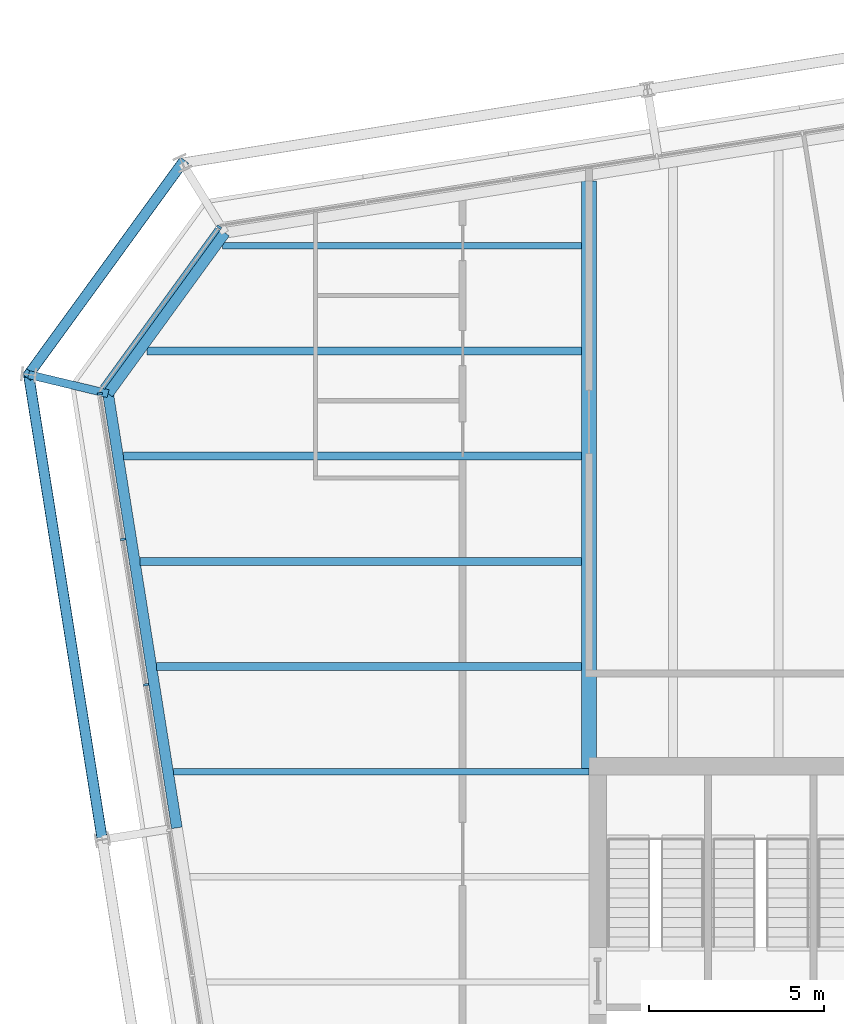
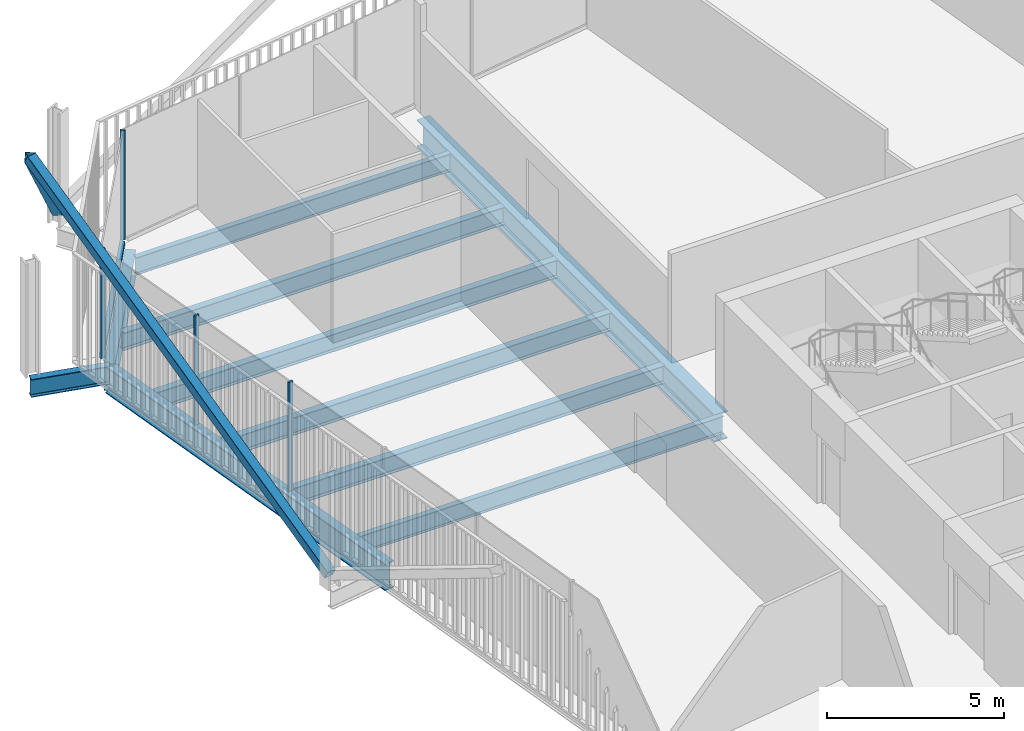
# One storey, part 11 of 21: 10 beams, 7 members, 2 elements without a shape of their own.
"""IFC4 building model written with IfcOpenShell, lengths in metres."""

from ifc_helpers import new_model, si_unit, direction, frame, origin, origin_2d, place, context, subcontext, project, spatial, rectangle, hollow_rectangle, i_section, extrude, material, layer, layer_set, material_profile, profile_set, type_object, element, aggregate, save


model = new_model("IFC4")

# Units and contexts
model_context = context("Model", 3, precision=1e-05, world=origin(), true_north=direction((0.0, 1.0)))
body_context = subcontext(model_context, "Body", "Model", "MODEL_VIEW")
ifc_project = project(units=[si_unit("LENGTHUNIT", "METRE"), si_unit("AREAUNIT", "SQUARE_METRE"), si_unit("VOLUMEUNIT", "CUBIC_METRE"), si_unit("PLANEANGLEUNIT", "RADIAN"), si_unit("MASSUNIT", "GRAM", prefix="KILO")], contexts=[model_context])

# Site, building, storey
site_placement = place(None, origin())
site = spatial("IfcSite", under=ifc_project, at=site_placement, CompositionType="ELEMENT")
building_placement = place(site_placement, origin())
building = spatial("IfcBuilding", under=site, at=building_placement, Name="Millrace Tower", CompositionType="ELEMENT")
storey_placement = place(building_placement, frame((0.0, 0.0, 255.199951171875)))
storey = spatial("IfcBuildingStorey", under=building, at=storey_placement, Name="L58", CompositionType="ELEMENT", Elevation=255.199951171875)

# Curtain wall, member
ifc_material_1 = material(Name="Aluminium and glass", Category="aluminium")
ifc_layer = layer(ifc_material_1, 0.14990234375)
ifc_layer_set = layer_set([ifc_layer], Name="Aluminium and glass")
curtain_wall_type = type_object("IfcCurtainWallType", Name="CW-1 office vision curtain wall", PredefinedType="NOTDEFINED", material=ifc_layer_set)
placement = place(storey_placement, origin())
curtain_wall_1 = element("IfcCurtainWall", 1, at=placement, inside=storey, type_object=curtain_wall_type, Name="Curtain wall D-F07 L58", PredefinedType="NOTDEFINED")
ifc_material_2 = material(Name="Aluminium", Category="aluminium")
ifc_material_profile_1 = material_profile(ifc_material_2, rectangle(XDim=0.06494140625, YDim=0.14990234375, at=origin_2d()))
ifc_profile_set_1 = profile_set([ifc_material_profile_1], Name="Aluminium")
member_type_1 = type_object("IfcMemberType", Name="CW-1 office vision curtain wall mullion", PredefinedType="MULLION", material=ifc_profile_set_1)
member_1_placement = place(storey_placement, frame((-24.945068359375, 24.528076171875, 0.14013671875), z_axis=(0.0, 0.0, 1.0), x_axis=(-0.587785305991, -0.809016955361, 0.0)))
member_1 = element("IfcMember", 2, at=member_1_placement, type_object=member_type_1, Name="CW1 mullion D-F07.1", PredefinedType="MULLION", context=body_context, shape_type="SweptSolid", body=[
    extrude(rectangle(XDim=0.06494140625, YDim=0.14990234375, at=origin_2d()), origin(), (0.0, 0.0, 1.0), 3.760009765625),
])

# Curtain wall, members
curtain_wall_2 = element("IfcCurtainWall", 3, at=placement, inside=storey, type_object=curtain_wall_type, Name="Curtain wall D-F08 L58", PredefinedType="NOTDEFINED")
member_2_placement = place(storey_placement, frame((-28.342529296875, 19.775390625, 0.14013671875), z_axis=(0.0, 0.0, 1.0), x_axis=(0.156434471884, -0.987688339511, 0.0)))
member_2 = element("IfcMember", 4, at=member_2_placement, type_object=member_type_1, Name="CW1 mullion D-F08.1", PredefinedType="MULLION", context=body_context, shape_type="SweptSolid", body=[
    extrude(rectangle(XDim=0.06494140625, YDim=0.14990234375, at=origin_2d()), origin(), (0.0, 0.0, 1.0), 3.760009765625),
])
member_3_placement = place(storey_placement, frame((-27.685302734375, 15.627197265625, 0.14013671875), z_axis=(0.0, 0.0, 1.0), x_axis=(0.156434471884, -0.987688339511, 0.0)))
member_3 = element("IfcMember", 5, at=member_3_placement, type_object=member_type_1, Name="CW1 mullion D-F08.2", PredefinedType="MULLION", context=body_context, shape_type="SweptSolid", body=[
    extrude(rectangle(XDim=0.06494140625, YDim=0.14990234375, at=origin_2d()), origin(), (0.0, 0.0, 1.0), 3.760009765625),
])
member_4_placement = place(storey_placement, frame((-27.0283203125, 11.47900390625, 0.14013671875), z_axis=(0.0, 0.0, 1.0), x_axis=(0.156434471884, -0.987688339511, 0.0)))
member_4 = element("IfcMember", 6, at=member_4_placement, type_object=member_type_1, Name="CW1 mullion D-F08.3", PredefinedType="MULLION", context=body_context, shape_type="SweptSolid", body=[
    extrude(rectangle(XDim=0.06494140625, YDim=0.14990234375, at=origin_2d()), origin(), (0.0, 0.0, 1.0), 3.760009765625),
])
aggregate(curtain_wall_2, [member_2, member_3, member_4])

# Member
ifc_material_3 = material(Name="Aluminium", Category="aluminium")
ifc_material_profile_2 = material_profile(ifc_material_3, rectangle(XDim=0.14990234375, YDim=0.139892578125, at=origin_2d()))
ifc_profile_set_2 = profile_set([ifc_material_profile_2], Name="Aluminium")
member_type_2 = type_object("IfcMemberType", Name="CW-1 office vision curtain wall transom", PredefinedType="USERDEFINED", material=ifc_profile_set_2)
member_5_placement = place(storey_placement, frame((-24.98486328125, 24.473388671875, 0.070068359375), z_axis=(-0.587782670904, -0.809018869857, 0.0), x_axis=(0.809018869857, -0.587782670904, 0.0)))
member_5 = element("IfcMember", 7, at=member_5_placement, type_object=member_type_2, Name="CW1 transom D-F07.1", ObjectType="TRANSOM", PredefinedType="USERDEFINED", context=body_context, shape_type="SweptSolid", body=[
    extrude(rectangle(XDim=0.14990234375, YDim=0.139892578125, at=origin_2d()), origin(), (0.0, 0.0, 1.0), 5.59814453125),
])

aggregate(curtain_wall_1, [member_1, member_5])

# Members
ifc_material_4 = material(Name="Steel ASTM A500 Grade C", Category="steel")
ifc_material_profile_3 = material_profile(ifc_material_4, hollow_rectangle(XDim=0.3046875, YDim=0.3046875, WallThickness=0.009521484375, InnerFilletRadius=0.004638671875, OuterFilletRadius=0.014404296875, at=origin_2d()))
ifc_profile_set_3 = profile_set([ifc_material_profile_3], Name="Steel ASTM A500 Grade C")
member_type_3 = type_object("IfcMemberType", Name="Exoskeleton brace HSS12x12x3/8", PredefinedType="BRACE", material=ifc_profile_set_3)
member_6_placement = place(storey_placement, frame((-25.996337890625, 26.35595703125, 0.400146484375), z_axis=(-0.42850795905, -0.589774395252, 0.684504997598), x_axis=(0.809009310944, -0.587795827483, 0.0)))
element("IfcMember", 8, at=member_6_placement, inside=storey, type_object=member_type_3, Name="BRC-D-L58-13", PredefinedType="BRACE", context=body_context, shape_type="SweptSolid", body=[
    extrude(hollow_rectangle(XDim=0.3046875, YDim=0.3046875, WallThickness=0.009521484375, InnerFilletRadius=0.004638671875, OuterFilletRadius=0.014404296875, at=origin_2d()), origin(), (0.0, 0.0, 1.0), 10.226318359375),
])
member_7_placement = place(storey_placement, frame((-28.27783203125, 7.0615234375, 0.400146484375), z_axis=(-0.138712380788, 0.87583551821, 0.462245627841), x_axis=(-0.987689444837, -0.156427492975, 0.0)))
element("IfcMember", 9, at=member_7_placement, inside=storey, type_object=member_type_3, Name="BRC-D-L58-14", PredefinedType="BRACE", context=body_context, shape_type="SweptSolid", body=[
    extrude(hollow_rectangle(XDim=0.3046875, YDim=0.3046875, WallThickness=0.009521484375, InnerFilletRadius=0.004638671875, OuterFilletRadius=0.014404296875, at=origin_2d()), origin(), (0.0, 0.0, 1.0), 15.1435546875),
])

# Beams
ifc_material_5 = material(Name="Steel ASTM A992 Grade 50", Category="steel")
ifc_material_profile_4 = material_profile(ifc_material_5, i_section(OverallWidth=0.1787109375, OverallDepth=0.60205078125, WebThickness=0.010986328125, FlangeThickness=0.014892578125, FilletRadius=0.0126953125, at=origin_2d()))
ifc_profile_set_4 = profile_set([ifc_material_profile_4], Name="Steel ASTM A992 Grade 50")
beam_type_1 = type_object("IfcBeamType", Name="Floor beam W24x62", PredefinedType="JOIST", material=ifc_profile_set_4)
beam_1_placement = place(storey_placement, frame((-26.248779296875, 9.0, -0.4609375), z_axis=(1.0, 0.0, 0.0), x_axis=(0.0, 1.0, 0.0)))
element("IfcBeam", 10, at=beam_1_placement, inside=storey, type_object=beam_type_1, Name="BM-D-L58-S1-S023", PredefinedType="JOIST", context=body_context, shape_type="SweptSolid", body=[
    extrude(i_section(OverallWidth=0.1787109375, OverallDepth=0.60205078125, WebThickness=0.010986328125, FlangeThickness=0.014892578125, FilletRadius=0.0126953125, at=origin_2d()), origin(), (0.0, 0.0, 1.0), 11.848876953125),
])
beam_2_placement = place(storey_placement, frame((-24.843994140625, 24.0, -0.4609375), z_axis=(1.0, 0.0, 0.0), x_axis=(0.0, 1.0, 0.0)))
element("IfcBeam", 11, at=beam_2_placement, inside=storey, type_object=beam_type_1, Name="BM-D-L58-S1-S033", PredefinedType="JOIST", context=body_context, shape_type="SweptSolid", body=[
    extrude(i_section(OverallWidth=0.1787109375, OverallDepth=0.60205078125, WebThickness=0.010986328125, FlangeThickness=0.014892578125, FilletRadius=0.0126953125, at=origin_2d()), origin(), (0.0, 0.0, 1.0), 10.234375),
])
ifc_material_6 = material(Name="Steel ASTM A992 Grade 50", Category="steel")
ifc_material_profile_5 = material_profile(ifc_material_6, i_section(OverallWidth=0.228271484375, OverallDepth=0.607177734375, WebThickness=0.01123046875, FlangeThickness=0.017333984375, FilletRadius=0.0126953125, at=origin_2d()))
ifc_profile_set_5 = profile_set([ifc_material_profile_5], Name="Steel ASTM A992 Grade 50")
beam_type_2 = type_object("IfcBeamType", Name="Floor beam W24x76", PredefinedType="JOIST", material=ifc_profile_set_5)
beam_3_placement = place(storey_placement, frame((-26.723876953125, 12.0, -0.46337890625), z_axis=(1.0, 0.0, 0.0), x_axis=(0.0, 1.0, 0.0)))
element("IfcBeam", 12, at=beam_3_placement, inside=storey, type_object=beam_type_2, Name="BM-D-L58-S1-S025", PredefinedType="JOIST", context=body_context, shape_type="SweptSolid", body=[
    extrude(i_section(OverallWidth=0.228271484375, OverallDepth=0.607177734375, WebThickness=0.01123046875, FlangeThickness=0.017333984375, FilletRadius=0.0126953125, at=origin_2d()), origin(), (0.0, 0.0, 1.0), 12.1142578125),
])
beam_4_placement = place(storey_placement, frame((-27.198974609375, 15.0, -0.46337890625), z_axis=(1.0, 0.0, 0.0), x_axis=(0.0, 1.0, 0.0)))
element("IfcBeam", 13, at=beam_4_placement, inside=storey, type_object=beam_type_2, Name="BM-D-L58-S1-S027", PredefinedType="JOIST", context=body_context, shape_type="SweptSolid", body=[
    extrude(i_section(OverallWidth=0.228271484375, OverallDepth=0.607177734375, WebThickness=0.01123046875, FlangeThickness=0.017333984375, FilletRadius=0.0126953125, at=origin_2d()), origin(), (0.0, 0.0, 1.0), 12.58935546875),
])
beam_5_placement = place(storey_placement, frame((-27.674072265625, 18.0, -0.46337890625), z_axis=(1.0, 0.0, 0.0), x_axis=(0.0, 1.0, 0.0)))
element("IfcBeam", 14, at=beam_5_placement, inside=storey, type_object=beam_type_2, Name="BM-D-L58-S1-S029", PredefinedType="JOIST", context=body_context, shape_type="SweptSolid", body=[
    extrude(i_section(OverallWidth=0.228271484375, OverallDepth=0.607177734375, WebThickness=0.01123046875, FlangeThickness=0.017333984375, FilletRadius=0.0126953125, at=origin_2d()), origin(), (0.0, 0.0, 1.0), 13.064453125),
])
beam_6_placement = place(storey_placement, frame((-27.0078125, 21.0, -0.46337890625), z_axis=(1.0, 0.0, 0.0), x_axis=(0.0, 1.0, 0.0)))
element("IfcBeam", 15, at=beam_6_placement, inside=storey, type_object=beam_type_2, Name="BM-D-L58-S1-S031", PredefinedType="JOIST", context=body_context, shape_type="SweptSolid", body=[
    extrude(i_section(OverallWidth=0.228271484375, OverallDepth=0.607177734375, WebThickness=0.01123046875, FlangeThickness=0.017333984375, FilletRadius=0.0126953125, at=origin_2d()), origin(), (0.0, 0.0, 1.0), 12.398193359375),
])
ifc_material_7 = material(Name="Steel ASTM A992 Grade 50", Category="steel")
ifc_material_profile_6 = material_profile(ifc_material_7, i_section(OverallWidth=0.424072265625, OverallDepth=0.947509765625, WebThickness=0.02392578125, FlangeThickness=0.042724609375, FilletRadius=0.024169921875, at=origin_2d()))
ifc_profile_set_6 = profile_set([ifc_material_profile_6], Name="Steel ASTM A992 Grade 50")
beam_type_3 = type_object("IfcBeamType", Name="Girder medium span W36x302", PredefinedType="BEAM", material=ifc_profile_set_6)
beam_7_placement = place(storey_placement, frame((-14.39990234375, 9.092041015625, -0.633544921875), z_axis=(0.0, 1.0, 0.0), x_axis=(-1.0, 0.0, 0.0)))
element("IfcBeam", 16, at=beam_7_placement, inside=storey, type_object=beam_type_3, Name="BM-D-L58-S1-G054", PredefinedType="BEAM", context=body_context, shape_type="SweptSolid", body=[
    extrude(i_section(OverallWidth=0.424072265625, OverallDepth=0.947509765625, WebThickness=0.02392578125, FlangeThickness=0.042724609375, FilletRadius=0.024169921875, at=origin_2d()), origin(), (0.0, 0.0, 1.0), 16.756591796875),
])
ifc_material_8 = material(Name="Steel ASTM A992 Grade 50", Category="steel")
ifc_material_profile_7 = material_profile(ifc_material_8, i_section(OverallWidth=0.23046875, OverallDepth=0.6171875, WebThickness=0.01318359375, FlangeThickness=0.022216796875, FilletRadius=0.012939453125, at=origin_2d()))
ifc_profile_set_7 = profile_set([ifc_material_profile_7], Name="Steel ASTM A992 Grade 50")
beam_type_4 = type_object("IfcBeamType", Name="Link beam W24x94", PredefinedType="BEAM", material=ifc_profile_set_7)
beam_8_placement = place(storey_placement, frame((-28.11181640625, 19.780517578125, -0.468505859375), z_axis=(-0.972367333652, 0.233456138164, 0.0), x_axis=(-0.233456138164, -0.972367333652, 0.0)))
element("IfcBeam", 17, at=beam_8_placement, inside=storey, type_object=beam_type_4, Name="LNK-D-L58-S1-04", PredefinedType="BEAM", context=body_context, shape_type="SweptSolid", body=[
    extrude(i_section(OverallWidth=0.23046875, OverallDepth=0.6171875, WebThickness=0.01318359375, FlangeThickness=0.022216796875, FilletRadius=0.012939453125, at=origin_2d()), origin(), (0.0, 0.0, 1.0), 2.3310546875),
])
ifc_material_9 = material(Name="Steel ASTM A992 Grade 50", Category="steel")
ifc_material_profile_8 = material_profile(ifc_material_9, i_section(OverallWidth=0.307373046875, OverallDepth=0.927001953125, WebThickness=0.01953125, FlangeThickness=0.031982421875, FilletRadius=0.01904296875, at=origin_2d()))
ifc_profile_set_8 = profile_set([ifc_material_profile_8], Name="Steel ASTM A992 Grade 50")
beam_type_5 = type_object("IfcBeamType", Name="Ring beam medium span W36x194", PredefinedType="SPANDREL", material=ifc_profile_set_8)
beam_9_placement = place(storey_placement, frame((-26.150634765625, 7.3984375, -0.62353515625), z_axis=(-0.156438575049, 0.987687689625, 0.0), x_axis=(-0.987687689625, -0.156438575049, 0.0)))
element("IfcBeam", 18, at=beam_9_placement, inside=storey, type_object=beam_type_5, Name="RNG-D-L58-S1-03", PredefinedType="SPANDREL", context=body_context, shape_type="SweptSolid", body=[
    extrude(i_section(OverallWidth=0.307373046875, OverallDepth=0.927001953125, WebThickness=0.01953125, FlangeThickness=0.031982421875, FilletRadius=0.01904296875, at=origin_2d()), origin(), (0.0, 0.0, 1.0), 12.536376953125),
])
ifc_material_10 = material(Name="Steel ASTM A992 Grade 50", Category="steel")
ifc_material_profile_9 = material_profile(ifc_material_10, i_section(OverallWidth=0.307373046875, OverallDepth=0.927001953125, WebThickness=0.01953125, FlangeThickness=0.031982421875, FilletRadius=0.01904296875, at=origin_2d()))
ifc_profile_set_9 = profile_set([ifc_material_profile_9], Name="Steel ASTM A992 Grade 50")
beam_type_6 = type_object("IfcBeamType", Name="Ring beam short span W36x194", PredefinedType="SPANDREL", material=ifc_profile_set_9)
beam_10_placement = place(storey_placement, frame((-28.11181640625, 19.780517578125, -0.62353515625), z_axis=(0.587808154511, 0.809000354444, 0.0), x_axis=(-0.809000354444, 0.587808154511, 0.0)))
element("IfcBeam", 19, at=beam_10_placement, inside=storey, type_object=beam_type_6, Name="RNG-D-L58-S1-04", PredefinedType="SPANDREL", context=body_context, shape_type="SweptSolid", body=[
    extrude(i_section(OverallWidth=0.307373046875, OverallDepth=0.927001953125, WebThickness=0.01953125, FlangeThickness=0.031982421875, FilletRadius=0.01904296875, at=origin_2d()), origin(), (0.0, 0.0, 1.0), 5.671142578125),
])

save(model, "model.ifc")
